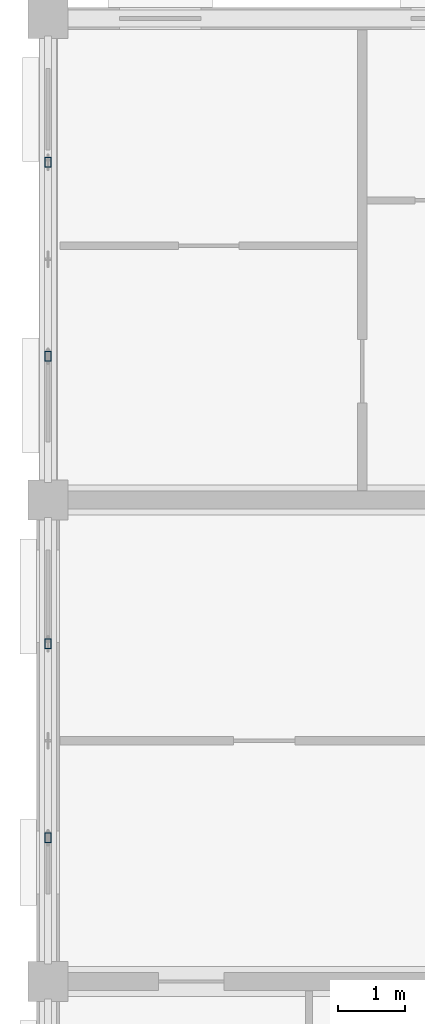
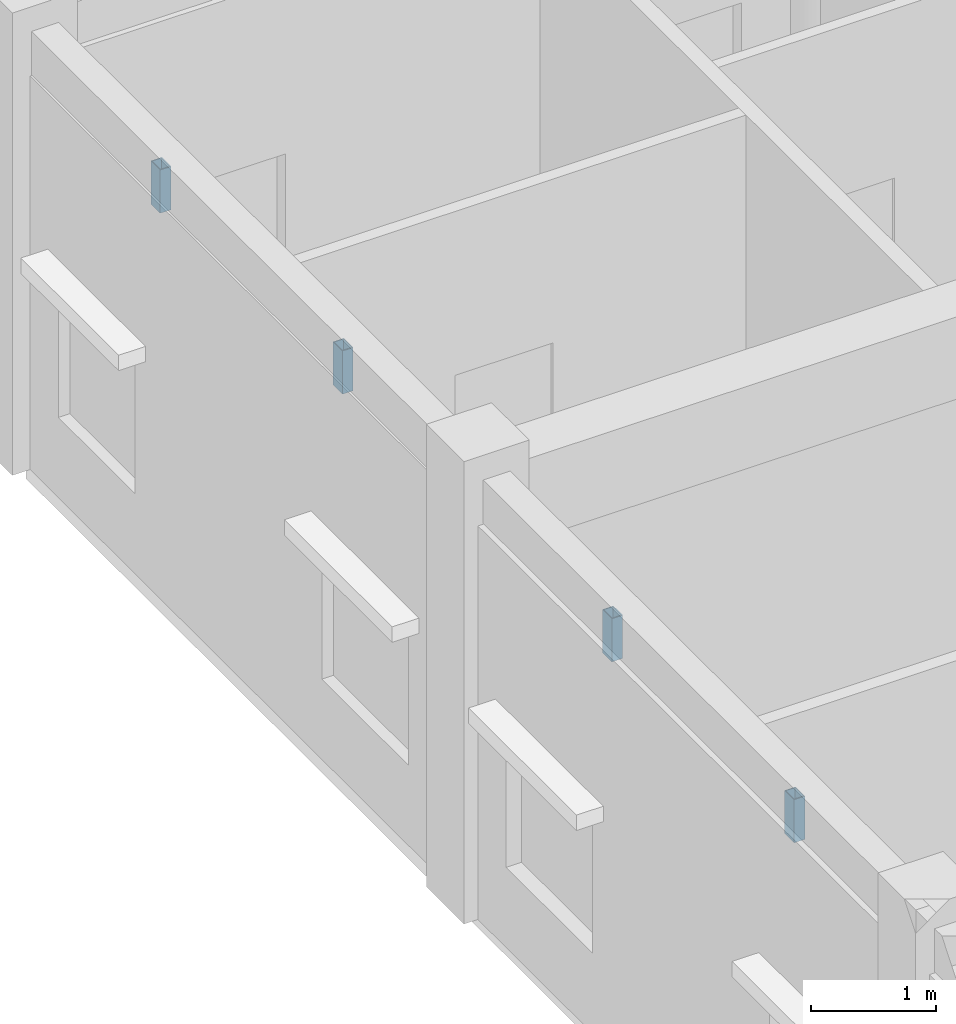
# One storey, part 44 of 138: 4 members.
"""IFC4 building model written with IfcOpenShell, lengths in metres."""

import ifcopenshell
import ifcopenshell.guid

model = None  # the IFC model being written
_history = None  # IfcOwnerHistory: only IFC2X3 demands one
_inside = {}  # id of a spatial element -> (the spatial element, [elements in it])
_under = {}  # id of a project, library or spatial element -> (it, [spatial elements below it])
_declared = {}  # id of a project -> (the project, [libraries it declares])
_typed = {}  # id of a type object -> (the type object, [elements of that type])
_made_of = {}  # id of a material, layer set ... -> (it, [elements and type objects made of it])


def new_model(schema):
    """Start an empty IFC model of exactly this schema.

    Asked for "IFC4X3", IfcOpenShell would pick the latest addendum, in which some entities
    have other attributes; the version numbers below select the first issue.
    IFC2X3 requires an IfcOwnerHistory on every rooted entity: one is made here for all.
    """
    global model, _history
    if schema == "IFC4X3":
        model = ifcopenshell.file(schema_version=(4, 3, 0, 0))
    else:
        model = ifcopenshell.file(schema=schema)
    _inside.clear()
    _under.clear()
    _declared.clear()
    _typed.clear()
    _made_of.clear()
    _history = None
    if model.schema == "IFC2X3":
        org = make("IfcOrganization", Name="unknown")
        user = make(
            "IfcPersonAndOrganization",
            ThePerson=make("IfcPerson", FamilyName="unknown"),
            TheOrganization=org,
        )
        app = make(
            "IfcApplication",
            ApplicationDeveloper=org,
            Version="unknown",
            ApplicationFullName="unknown",
            ApplicationIdentifier="unknown",
        )
        _history = make(
            "IfcOwnerHistory",
            OwningUser=user,
            OwningApplication=app,
            ChangeAction="ADDED",
            CreationDate=0,
        )
    return model


def make(cls, **values):
    """One entity of the class cls with the attributes given. An attribute that is None is left unset."""
    return model.create_entity(
        cls, **{name: value for name, value in values.items() if value is not None}
    )


def rooted(cls, **values):
    """An entity with a GlobalId (a new one), such as an element, a storey or a relation."""
    return make(cls, GlobalId=ifcopenshell.guid.new(), OwnerHistory=_history, **values)


def si_unit(unit_type, name, prefix=None):
    """IfcSIUnit, for example si_unit("LENGTHUNIT", "METRE", prefix="MILLI")."""
    return make("IfcSIUnit", UnitType=unit_type, Prefix=prefix, Name=name)


def assignment(units):
    """IfcUnitAssignment: the units of a project."""
    return None if units is None else make("IfcUnitAssignment", Units=units)


def point(xyz):
    """IfcCartesianPoint."""
    return None if xyz is None else make("IfcCartesianPoint", Coordinates=xyz)


def direction(xyz):
    """IfcDirection."""
    return None if xyz is None else make("IfcDirection", DirectionRatios=xyz)


def frame(location, z_axis=None, x_axis=None):
    """IfcAxis2Placement3D, a coordinate frame: its origin and axes. An axis left out is left unset."""
    return make(
        "IfcAxis2Placement3D",
        Location=point(location),
        Axis=direction(z_axis),
        RefDirection=direction(x_axis),
    )


def frame_2d(location, x_axis=None):
    """IfcAxis2Placement2D, a coordinate frame in the plane: its origin and x axis."""
    return make(
        "IfcAxis2Placement2D", Location=point(location), RefDirection=direction(x_axis)
    )


def origin():
    """The frame at (0, 0, 0) with its axes left unset."""
    return frame((0.0, 0.0, 0.0))


def origin_2d():
    """The frame at (0, 0) in the plane with its x axis left unset."""
    return frame_2d((0.0, 0.0))


def place(relative_to, where):
    """IfcLocalPlacement: puts the frame where relative to a parent placement (None: the world)."""
    return make(
        "IfcLocalPlacement", PlacementRelTo=relative_to, RelativePlacement=where
    )


def context(
    kind, dimensions, precision=None, world=None, true_north=None, identifier=None
):
    """IfcGeometricRepresentationContext, for example the 3D "Model" context."""
    return make(
        "IfcGeometricRepresentationContext",
        ContextIdentifier=identifier,
        ContextType=kind,
        CoordinateSpaceDimension=dimensions,
        Precision=precision,
        WorldCoordinateSystem=world,
        TrueNorth=true_north,
    )


def subcontext(parent, identifier, kind, view, scale=None):
    """IfcGeometricRepresentationSubContext, for example "Body" below "Model"."""
    return make(
        "IfcGeometricRepresentationSubContext",
        ContextIdentifier=identifier,
        ContextType=kind,
        ParentContext=parent,
        TargetScale=scale,
        TargetView=view,
    )


def project(units=None, contexts=None):
    """IfcProject with its units and contexts."""
    return rooted(
        "IfcProject",
        Name="project",
        RepresentationContexts=contexts,
        UnitsInContext=assignment(units),
    )


def spatial(cls, under=None, at=None, **own):
    """A site, building, storey or space (cls), placed at a placement, below another one or the project."""
    s = rooted(cls, ObjectPlacement=at, **own)
    if under is not None:
        _under.setdefault(under.id(), (under, []))[1].append(s)
    return s


def profile(cls, at=None, kind="AREA", **sizes):
    """A parametric profile (cls). Its sizes go by their IFC names, for example OverallWidth=200.0."""
    return make(cls, ProfileType=kind, Position=at, **sizes)


def hollow_rectangle(**sizes):
    """IfcRectangleHollowProfileDef."""
    return profile("IfcRectangleHollowProfileDef", **sizes)


def extrude(swept, where, along, depth):
    """IfcExtrudedAreaSolid: the profile swept, set in the frame where, extruded along a direction by depth."""
    return make(
        "IfcExtrudedAreaSolid",
        SweptArea=swept,
        Position=where,
        ExtrudedDirection=direction(along),
        Depth=depth,
    )


def shape(context_of_items, identifier, shape_type, items):
    """IfcShapeRepresentation: the items that make up one representation, for example the "Body"."""
    return make(
        "IfcShapeRepresentation",
        ContextOfItems=context_of_items,
        RepresentationIdentifier=identifier,
        RepresentationType=shape_type,
        Items=items,
    )


def material(Name=None, Category=None):
    """IfcMaterial."""
    return make("IfcMaterial", Name=Name, Category=Category)


def material_profile(
    of_material, cross_section, Name=None, Category=None, Priority=None
):
    """IfcMaterialProfile: a cross section and its material."""
    return make(
        "IfcMaterialProfile",
        Name=Name,
        Material=of_material,
        Profile=cross_section,
        Priority=Priority,
        Category=Category,
    )


def profile_set(profiles, Name=None, composite=None):
    """IfcMaterialProfileSet."""
    return make(
        "IfcMaterialProfileSet",
        Name=Name,
        MaterialProfiles=profiles,
        CompositeProfile=composite,
    )


def made_of(thing, what):
    """Note that an element or type object is made of a material, layer set ...; save() writes the relation."""
    if what is not None:
        _made_of.setdefault(what.id(), (what, []))[1].append(thing)
    return thing


def type_object(cls, material=None, **own):
    """A type object (cls), such as IfcWallType, which elements share."""
    return made_of(rooted(cls, **own), material)


def element(
    cls,
    number,
    at=None,
    inside=None,
    cuts=None,
    type_object=None,
    material=None,
    context=None,
    identifier="Body",
    shape_type=None,
    held_by="IfcProductDefinitionShape",
    body=None,
    shapes=None,
    **own,
):
    """One element of the class cls, such as IfcWall. Its Tag is "e" and its number.

    at: its placement. inside: the storey or other place that contains it. cuts: it is an
    opening in that element (IfcRelVoidsElement). A single representation is given by context,
    identifier, shape_type and body (its items); several are given by shapes. held_by: the class
    of the entity that holds the representations. save() writes the other relations.
    """
    e = rooted(cls, Tag="e%d" % number, ObjectPlacement=at, **own)
    if body is not None:
        shapes = [shape(context, identifier, shape_type, body)]
    if shapes is not None:
        e.Representation = make(held_by, Representations=shapes)
    if inside is not None:
        _inside.setdefault(inside.id(), (inside, []))[1].append(e)
    if cuts is not None:
        rooted(
            "IfcRelVoidsElement", RelatingBuildingElement=cuts, RelatedOpeningElement=e
        )
    if type_object is not None:
        _typed.setdefault(type_object.id(), (type_object, []))[1].append(e)
    return made_of(e, material)


def aggregate(whole, parts):
    """IfcRelAggregates: a whole, such as a stair, and the parts it consists of."""
    return rooted("IfcRelAggregates", RelatingObject=whole, RelatedObjects=parts)


def save(model, path):
    """Write the relations noted so far, then the file.

    IfcRelAggregates (storeys below a building ...), IfcRelContainedInSpatialStructure (elements
    in a storey), IfcRelDefinesByType, IfcRelAssociatesMaterial and IfcRelDeclares: one each for
    every whole, place, type object, material and project.
    """
    for whole, parts in _under.values():
        aggregate(whole, parts)
    for where, things in _inside.values():
        rooted(
            "IfcRelContainedInSpatialStructure",
            RelatedElements=things,
            RelatingStructure=where,
        )
    for kind, things in _typed.values():
        rooted("IfcRelDefinesByType", RelatedObjects=things, RelatingType=kind)
    for what, things in _made_of.values():
        rooted("IfcRelAssociatesMaterial", RelatedObjects=things, RelatingMaterial=what)
    for by, libraries in _declared.values():
        rooted("IfcRelDeclares", RelatingContext=by, RelatedDefinitions=libraries)
    model.write(path)


model = new_model("IFC4")

# Units and contexts
model_context = context("Model", 3, precision=1e-05, world=origin(), true_north=direction((0.0, 1.0)))
body_context = subcontext(model_context, "Body", "Model", "MODEL_VIEW")
ifc_project = project(units=[si_unit("LENGTHUNIT", "METRE"), si_unit("AREAUNIT", "SQUARE_METRE"), si_unit("VOLUMEUNIT", "CUBIC_METRE"), si_unit("PLANEANGLEUNIT", "RADIAN"), si_unit("MASSUNIT", "GRAM", prefix="KILO"), si_unit("THERMODYNAMICTEMPERATUREUNIT", "KELVIN"), si_unit("POWERUNIT", "WATT")], contexts=[model_context])

# Site, building, storey
site_placement = place(None, origin())
site = spatial("IfcSite", under=ifc_project, at=site_placement, CompositionType="ELEMENT")
building_placement = place(site_placement, origin())
building = spatial("IfcBuilding", under=site, at=building_placement, Name="Tavuni Mirador Residences", CompositionType="ELEMENT")
storey_placement = place(building_placement, origin())
storey = spatial("IfcBuildingStorey", under=building, at=storey_placement, Name="L00", CompositionType="ELEMENT", Elevation=0.0)

# Members
ifc_material = material(Name="Structural steel S355", Category="steel")
ifc_material_profile = material_profile(ifc_material, hollow_rectangle(XDim=0.10009765625, YDim=0.14990234375, WallThickness=0.008056640625, at=origin_2d()), Name="RHS 150x100x8.0", Category="steel")
ifc_profile_set = profile_set([ifc_material_profile], Name="Structural steel S355")
member_type = type_object("IfcMemberType", Name="MT-BR-RHS150", PredefinedType="BRACE", material=ifc_profile_set)
for number, where, z_axis, x_axis, name in (
    (1, (3.60009765625, 88.548095703125, 3.6298828125), (0.0, 0.0, 1.0), (1.0, 0.0, 0.0), "ARCH-BLKB-W-03-V1"),
    (2, (3.60009765625, 91.451904296875, 3.6298828125), (0.0, 0.0, 1.0), (1.0, 0.0, 0.0), "ARCH-BLKB-W-03-V2"),
    (3, (3.60009765625, 95.748046875, 3.6298828125), (0.0, 0.0, 1.0), (1.0, 0.0, 0.0), "ARCH-BLKB-W-04-V1"),
    (4, (3.60009765625, 98.652099609375, 3.6298828125), (0.0, 0.0, 1.0), (1.0, 0.0, 0.0), "ARCH-BLKB-W-04-V2"),
):
    element("IfcMember", number, at=place(storey_placement, frame(where, z_axis=z_axis, x_axis=x_axis)), inside=storey, type_object=member_type, Name=name, PredefinedType="BRACE", context=body_context, shape_type="SweptSolid", body=[
        extrude(hollow_rectangle(XDim=0.10009765625, YDim=0.14990234375, WallThickness=0.008056640625, at=origin_2d()), origin(), (0.0, 0.0, 1.0), 0.420166015625),
    ])

save(model, "model.ifc")
